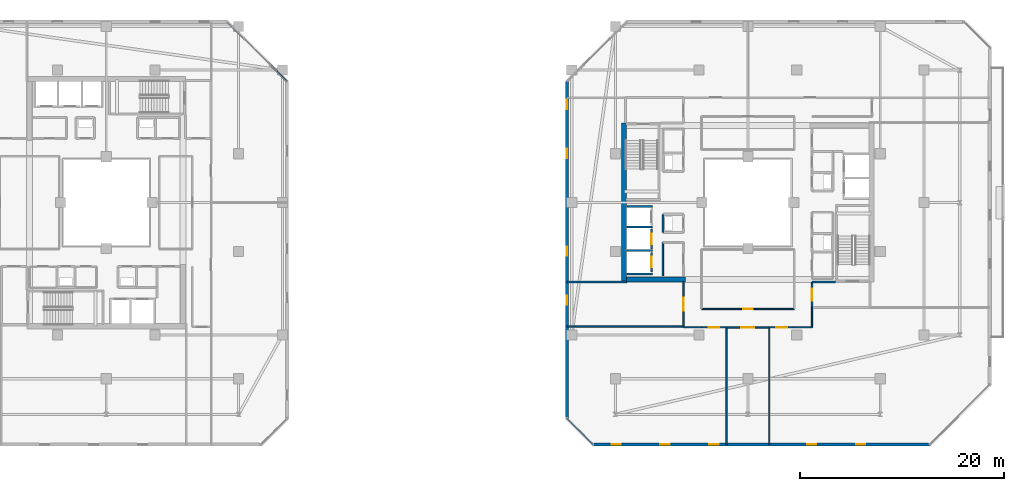
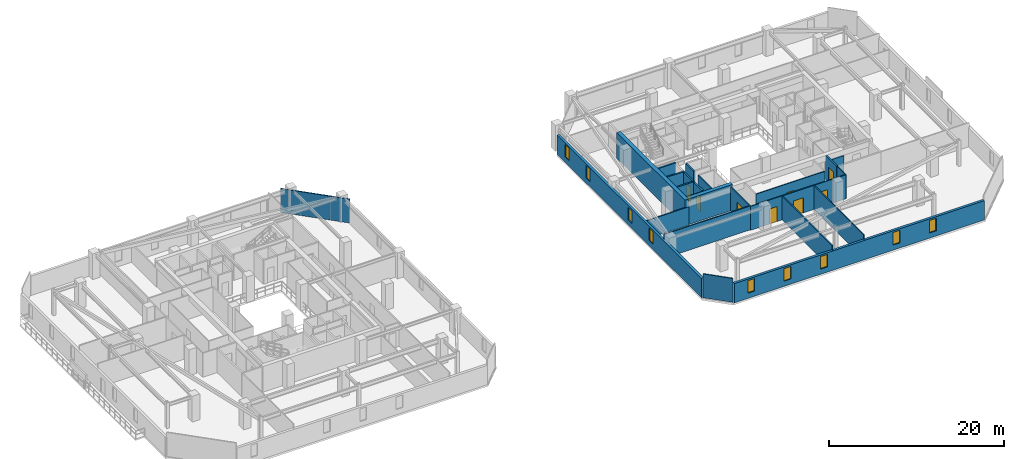
# One storey, part 21 of 31: 28 walls, 9 windows, 8 doors, 17 openings.
"""IFC4 building model written with IfcOpenShell, lengths in metres."""

from ifc_helpers import new_model, si_unit, direction, frame, frame_2d, origin, place, context, subcontext, project, spatial, rectangle, extrude, material, layer, layer_set, type_object, element, fill, save


model = new_model("IFC4")

# Units and contexts
model_context = context("Model", 3, precision=1e-05, world=origin(), true_north=direction((0.0, 1.0)))
body_context = subcontext(model_context, "Body", "Model", "MODEL_VIEW")
ifc_project = project(units=[si_unit("LENGTHUNIT", "METRE"), si_unit("AREAUNIT", "SQUARE_METRE"), si_unit("VOLUMEUNIT", "CUBIC_METRE"), si_unit("PLANEANGLEUNIT", "RADIAN"), si_unit("MASSUNIT", "GRAM", prefix="KILO")], contexts=[model_context])

# Site, building, storey
site_placement = place(None, origin())
site = spatial("IfcSite", under=ifc_project, at=site_placement, CompositionType="ELEMENT")
building_placement = place(site_placement, origin())
building = spatial("IfcBuilding", under=site, at=building_placement, Name="Thornwick Lancets Civic Towers", CompositionType="ELEMENT")
storey_placement = place(building_placement, frame((0.0, 0.0, 233.10009765625)))
storey = spatial("IfcBuildingStorey", under=building, at=storey_placement, Name="L62", CompositionType="ELEMENT", Elevation=233.10009765625)

# Wall, opening, door
ifc_material_1 = material(Name="Concrete blockwork C40/50", Category="masonry")
ifc_layer_1 = layer(ifc_material_1, 0.199951171875, Name="Concrete blockwork C40/50")
ifc_layer_set_1 = layer_set([ifc_layer_1], Name="Concrete blockwork C40/50")
wall_type_1 = type_object("IfcWallType", Name="WALL_COMP_200", PredefinedType="STANDARD", material=ifc_layer_set_1)
wall_1_placement = place(storey_placement, frame((79.050048828125, 22.429931640625, 0.0), z_axis=(0.0, 0.0, 1.0), x_axis=(0.0, 1.0, 0.0)))
wall_1 = element("IfcWall", 1, at=wall_1_placement, inside=storey, type_object=wall_type_1, Name="L62 Hoistway Front Wall PL-BH2", PredefinedType="STANDARD", context=body_context, shape_type="SweptSolid", body=[
    extrude(rectangle(XDim=1.989990234375, YDim=0.199951171875, at=frame_2d((0.9951171875, 0.0))), origin(), (0.0, 0.0, 1.0), 3.33984375),
])
opening_1_placement = place(wall_1_placement, frame((0.485107421875, 0.0, 0.0)))
opening_1 = element("IfcOpeningElement", 2, at=opening_1_placement, cuts=wall_1, Name="Opening LD-PL-BH2", PredefinedType="OPENING", context=body_context, shape_type="SweptSolid", body=[
    extrude(rectangle(XDim=1.02001953125, YDim=2.06005859375, at=frame_2d((0.510009765625, 1.030029296875))), frame((0.0, 0.10986328125, 0.0), z_axis=(0.0, -1.0, 0.0), x_axis=(1.0, 0.0, 0.0)), (0.0, 0.0, 1.0), 0.219970703125),
])
ifc_material_2 = material(Name="Brushed bronze stainless steel", Category="steel")
door_type_1 = type_object("IfcDoorType", Name="DOOR_LIFT_SLIDE", OperationType="SLIDING_TO_LEFT", PredefinedType="DOOR", material=ifc_material_2)
door_1_placement = place(opening_1_placement, origin())
door_1 = element("IfcDoor", 3, at=door_1_placement, inside=storey, type_object=door_type_1, Name="L62 Sliding Lift Landing Door LD-PL-BH2", OperationType="SLIDING_TO_LEFT", OverallHeight=2.06005859375, OverallWidth=1.02001953125, PredefinedType="DOOR", context=body_context, shape_type="SweptSolid", body=[
    extrude(rectangle(XDim=1.02001953125, YDim=2.06005859375, at=frame_2d((0.510009765625, 1.030029296875))), frame((0.0, 0.02490234375, 0.0), z_axis=(0.0, -1.0, 0.0), x_axis=(1.0, 0.0, 0.0)), (0.0, 0.0, 1.0), 0.050048828125),
])
fill(opening_1, door_1)

wall_2_placement = place(storey_placement, frame((79.050048828125, 20.179931640625, 0.0), z_axis=(0.0, 0.0, 1.0), x_axis=(0.0, 1.0, 0.0)))
wall_2 = element("IfcWall", 4, at=wall_2_placement, inside=storey, type_object=wall_type_1, Name="L62 Hoistway Front Wall PL-BH3", PredefinedType="STANDARD", context=body_context, shape_type="SweptSolid", body=[
    extrude(rectangle(XDim=1.940185546875, YDim=0.199951171875, at=frame_2d((0.97021484375, 0.0))), origin(), (0.0, 0.0, 1.0), 3.33984375),
])
opening_2_placement = place(wall_2_placement, frame((0.4599609375, 0.0, 0.0)))
opening_2 = element("IfcOpeningElement", 5, at=opening_2_placement, cuts=wall_2, Name="Opening LD-PL-BH3", PredefinedType="OPENING", context=body_context, shape_type="SweptSolid", body=[
    extrude(rectangle(XDim=1.02001953125, YDim=2.06005859375, at=frame_2d((0.510009765625, 1.030029296875))), frame((0.0, 0.10986328125, 0.0), z_axis=(0.0, -1.0, 0.0), x_axis=(1.0, 0.0, 0.0)), (0.0, 0.0, 1.0), 0.219970703125),
])
door_2_placement = place(opening_2_placement, origin())
door_2 = element("IfcDoor", 6, at=door_2_placement, inside=storey, type_object=door_type_1, Name="L62 Sliding Lift Landing Door LD-PL-BH3", OperationType="SLIDING_TO_LEFT", OverallHeight=2.06005859375, OverallWidth=1.02001953125, PredefinedType="DOOR", context=body_context, shape_type="SweptSolid", body=[
    extrude(rectangle(XDim=1.02001953125, YDim=2.06005859375, at=frame_2d((0.510009765625, 1.030029296875))), frame((0.0, 0.02490234375, 0.0), z_axis=(0.0, -1.0, 0.0), x_axis=(1.0, 0.0, 0.0)), (0.0, 0.0, 1.0), 0.050048828125),
])
fill(opening_2, door_2)

# Walls
for number, where, z_axis, x_axis, name in (
    (7, (76.612060546875, 26.60009765625, 0.0), (0.0, 0.0, 1.0), (1.0, 0.0, 0.0), "L62 Hoistway Shaft Wall FL-B2 N"),
    (8, (76.612060546875, 24.60009765625, 0.0), (0.0, 0.0, 1.0), (1.0, 0.0, 0.0), "L62 Hoistway Shaft Wall FL-B2 S"),
    (9, (76.612060546875, 22.27490234375, 0.0), (0.0, 0.0, 1.0), (1.0, 0.0, 0.0), "L62 Hoistway Shaft Wall PL-BH2 S"),
    (10, (76.612060546875, 20.0, 0.0), (0.0, 0.0, 1.0), (1.0, 0.0, 0.0), "L62 Hoistway Shaft Wall PL-BH3 S"),
):
    element("IfcWall", number, at=place(storey_placement, frame(where, z_axis=z_axis, x_axis=x_axis)), inside=storey, type_object=wall_type_1, Name=name, PredefinedType="STANDARD", context=body_context, shape_type="SweptSolid", body=[
        extrude(rectangle(XDim=2.535888671875, YDim=0.199951171875, at=frame_2d((1.26806640625, 0.0))), origin(), (0.0, 0.0, 1.0), 3.33984375),
    ])
wall_3_placement = place(storey_placement, frame((97.10009765625, 19.199951171875, 0.0), z_axis=(0.0, 0.0, 1.0), x_axis=(-1.0, 0.0, 0.0)))
element("IfcWall", 11, at=wall_3_placement, inside=storey, type_object=wall_type_1, Name="L62 Partition L62-B-FFLOB1 E3", PredefinedType="STANDARD", context=body_context, shape_type="SweptSolid", body=[
    extrude(rectangle(XDim=2.300048828125, YDim=0.199951171875, at=frame_2d((1.14990234375, 0.0))), origin(), (0.0, 0.0, 1.0), 2.544921875),
])

# Wall, opening, door
wall_4_placement = place(storey_placement, frame((94.800048828125, 19.199951171875, 0.0), z_axis=(0.0, 0.0, 1.0), x_axis=(0.0, -1.0, 0.0)))
wall_4 = element("IfcWall", 12, at=wall_4_placement, inside=storey, type_object=wall_type_1, Name="L62 Partition L62-B-FFLOB1 E4", PredefinedType="STANDARD", context=body_context, shape_type="SweptSolid", body=[
    extrude(rectangle(XDim=2.5, YDim=0.199951171875, at=frame_2d((1.25, 0.0))), origin(), (0.0, 0.0, 1.0), 3.33984375),
])
opening_3_placement = place(wall_4_placement, frame((0.675048828125, 0.0, 0.0)))
opening_3 = element("IfcOpeningElement", 13, at=opening_3_placement, cuts=wall_4, Name="Opening D-L62-2793", PredefinedType="OPENING", context=body_context, shape_type="SweptSolid", body=[
    extrude(rectangle(XDim=1.14990234375, YDim=2.10009765625, at=frame_2d((0.574951171875, 1.050048828125))), frame((0.0, 0.10986328125, 0.0), z_axis=(0.0, -1.0, 0.0), x_axis=(1.0, 0.0, 0.0)), (0.0, 0.0, 1.0), 0.219970703125),
])
ifc_material_3 = material(Name="Glazed fire-resisting steel", Category="steel")
door_type_2 = type_object("IfcDoorType", Name="DOOR_LOBBY_FD60", OperationType="NOTDEFINED", PredefinedType="DOOR", material=ifc_material_3)
door_3_placement = place(opening_3_placement, origin())
door_3 = element("IfcDoor", 14, at=door_3_placement, inside=storey, type_object=door_type_2, Name="L62 East Firefighting Lobby 1 Door", OperationType="SINGLE_SWING_RIGHT", OverallHeight=2.10009765625, OverallWidth=1.14990234375, PredefinedType="DOOR", context=body_context, shape_type="SweptSolid", body=[
    extrude(rectangle(XDim=1.14990234375, YDim=2.10009765625, at=frame_2d((0.574951171875, 1.050048828125))), frame((0.0, 0.02490234375, 0.0), z_axis=(0.0, -1.0, 0.0), x_axis=(1.0, 0.0, 0.0)), (0.0, 0.0, 1.0), 0.050048828125),
])
fill(opening_3, door_3)

# Walls
wall_5_placement = place(storey_placement, frame((80.14990234375, 25.85009765625, 0.0), z_axis=(0.0, 0.0, 1.0), x_axis=(0.0, -1.0, 0.0)))
element("IfcWall", 15, at=wall_5_placement, inside=storey, type_object=wall_type_1, Name="L62 Partition L62-B-DUCT2 E4", PredefinedType="STANDARD", context=body_context, shape_type="SweptSolid", body=[
    extrude(rectangle(XDim=1.800048828125, YDim=0.199951171875, at=frame_2d((0.89990234375, 0.0))), origin(), (0.0, 0.0, 1.0), 3.33984375),
])
ifc_material_4 = material(Name="Concrete C50/60", Category="concrete")
ifc_layer_2 = layer(ifc_material_4, 0.5, Name="Concrete C50/60")
ifc_layer_set_2 = layer_set([ifc_layer_2], Name="Concrete C50/60")
wall_type_2 = type_object("IfcWallType", Name="WALL_CORE_500", PredefinedType="SHEAR", material=ifc_layer_set_2)
wall_6_placement = place(storey_placement, frame((76.35009765625, 19.199951171875, 0.0), z_axis=(0.0, 0.0, 1.0), x_axis=(0.0, 1.0, 0.0)))
element("IfcWall", 16, at=wall_6_placement, inside=storey, type_object=wall_type_2, Name="L62 Split Core B2 Shear Wall W", PredefinedType="SHEAR", context=body_context, shape_type="SweptSolid", body=[
    extrude(rectangle(XDim=15.60009765625, YDim=0.5, at=frame_2d((7.800048828125, 0.0))), origin(), (0.0, 0.0, 1.0), 3.599853515625),
])
wall_7_placement = place(storey_placement, frame((76.60009765625, 19.449951171875, 0.0), z_axis=(0.0, 0.0, 1.0), x_axis=(1.0, 0.0, 0.0)))
element("IfcWall", 17, at=wall_7_placement, inside=storey, type_object=wall_type_2, Name="L62 Split Core B2 Shear Wall S", PredefinedType="SHEAR", context=body_context, shape_type="SweptSolid", body=[
    extrude(rectangle(XDim=5.7998046875, YDim=0.5, at=frame_2d((2.89990234375, 0.0))), origin(), (0.0, 0.0, 1.0), 3.599853515625),
])

# Wall, openings, windows
ifc_material_5 = material(Name="Insulated buff terracotta rainscreen on concrete C40/50", Category="masonry")
ifc_layer_3 = layer(ifc_material_5, 0.320068359375, Name="Insulated buff terracotta rainscreen on concrete C40/50")
ifc_layer_set_3 = layer_set([ifc_layer_3], Name="Insulated buff terracotta rainscreen on concrete C40/50")
wall_type_3 = type_object("IfcWallType", Name="WALL_EXT_TERRA_320", PredefinedType="STANDARD", material=ifc_layer_set_3)
wall_8_placement = place(storey_placement, frame((73.318603515625, 3.2353515625, 0.0), z_axis=(0.0, 0.0, 1.0), x_axis=(0.999999944762, 0.000332378036, 0.0)))
wall_8 = element("IfcWall", 18, at=wall_8_placement, inside=storey, type_object=wall_type_3, Name="L62 Tower B Terracotta Facade Wall E0", PredefinedType="STANDARD", context=body_context, shape_type="SweptSolid", body=[
    extrude(rectangle(XDim=33.0537109375, YDim=0.320068359375, at=frame_2d((16.52685546875, 0.0))), origin(), (0.0, 0.0, 1.0), 2.699951171875),
])
opening_4_placement = place(wall_8_placement, frame((1.800048828125, 0.0, 0.719970703125)))
opening_4 = element("IfcOpeningElement", 19, at=opening_4_placement, cuts=wall_8, Name="Opening WL-01", PredefinedType="OPENING", context=body_context, shape_type="SweptSolid", body=[
    extrude(rectangle(XDim=0.89990234375, YDim=1.75, at=frame_2d((0.449951171875, 0.875))), frame((0.0, 0.169921875, 0.0), z_axis=(0.0, -1.0, 0.0), x_axis=(1.0, 0.0, 0.0)), (0.0, 0.0, 1.0), 0.340087890625),
])
opening_5_placement = place(wall_8_placement, frame((6.60009765625, 0.0, 0.719970703125)))
opening_5 = element("IfcOpeningElement", 20, at=opening_5_placement, cuts=wall_8, Name="Opening WL-01", PredefinedType="OPENING", context=body_context, shape_type="SweptSolid", body=[
    extrude(rectangle(XDim=0.89990234375, YDim=1.75, at=frame_2d((0.449951171875, 0.875))), frame((0.0, 0.169921875, 0.0), z_axis=(0.0, -1.0, 0.0), x_axis=(1.0, 0.0, 0.0)), (0.0, 0.0, 1.0), 0.340087890625),
])
opening_6_placement = place(wall_8_placement, frame((11.39990234375, 0.0, 0.719970703125)))
opening_6 = element("IfcOpeningElement", 21, at=opening_6_placement, cuts=wall_8, Name="Opening WL-01", PredefinedType="OPENING", context=body_context, shape_type="SweptSolid", body=[
    extrude(rectangle(XDim=0.89990234375, YDim=1.75, at=frame_2d((0.449951171875, 0.875))), frame((0.0, 0.169921875, 0.0), z_axis=(0.0, -1.0, 0.0), x_axis=(1.0, 0.0, 0.0)), (0.0, 0.0, 1.0), 0.340087890625),
])
opening_7_placement = place(wall_8_placement, frame((21.0, 0.0, 0.719970703125)))
opening_7 = element("IfcOpeningElement", 22, at=opening_7_placement, cuts=wall_8, Name="Opening WL-01", PredefinedType="OPENING", context=body_context, shape_type="SweptSolid", body=[
    extrude(rectangle(XDim=0.89990234375, YDim=1.75, at=frame_2d((0.449951171875, 0.875))), frame((0.0, 0.169921875, 0.0), z_axis=(0.0, -1.0, 0.0), x_axis=(1.0, 0.0, 0.0)), (0.0, 0.0, 1.0), 0.340087890625),
])
opening_8_placement = place(wall_8_placement, frame((25.800048828125, 0.0, 0.719970703125)))
opening_8 = element("IfcOpeningElement", 23, at=opening_8_placement, cuts=wall_8, Name="Opening WL-01", PredefinedType="OPENING", context=body_context, shape_type="SweptSolid", body=[
    extrude(rectangle(XDim=0.89990234375, YDim=1.75, at=frame_2d((0.449951171875, 0.875))), frame((0.0, 0.169921875, 0.0), z_axis=(0.0, -1.0, 0.0), x_axis=(1.0, 0.0, 0.0)), (0.0, 0.0, 1.0), 0.340087890625),
])
ifc_material_6 = material(Name="Clear low-e double glazing in bronze frame", Category="glass")
window_type = type_object("IfcWindowType", Name="WIN_LANCET_900", PartitioningType="SINGLE_PANEL", PredefinedType="WINDOW", material=ifc_material_6)
window_1_placement = place(opening_4_placement, origin())
window_1 = element("IfcWindow", 24, at=window_1_placement, inside=storey, type_object=window_type, Name="L62 Tower B Staggered Lancet Window E0-1", OverallHeight=1.75, OverallWidth=0.89990234375, PartitioningType="SINGLE_PANEL", PredefinedType="WINDOW", context=body_context, shape_type="SweptSolid", body=[
    extrude(rectangle(XDim=0.89990234375, YDim=1.75, at=frame_2d((0.449951171875, 0.875))), frame((0.0, 0.030029296875, 0.0), z_axis=(0.0, -1.0, 0.0), x_axis=(1.0, 0.0, 0.0)), (0.0, 0.0, 1.0), 0.06005859375),
])
fill(opening_4, window_1)
window_2_placement = place(opening_5_placement, origin())
window_2 = element("IfcWindow", 25, at=window_2_placement, inside=storey, type_object=window_type, Name="L62 Tower B Staggered Lancet Window E0-2", OverallHeight=1.75, OverallWidth=0.89990234375, PartitioningType="SINGLE_PANEL", PredefinedType="WINDOW", context=body_context, shape_type="SweptSolid", body=[
    extrude(rectangle(XDim=0.89990234375, YDim=1.75, at=frame_2d((0.449951171875, 0.875))), frame((0.0, 0.030029296875, 0.0), z_axis=(0.0, -1.0, 0.0), x_axis=(1.0, 0.0, 0.0)), (0.0, 0.0, 1.0), 0.06005859375),
])
fill(opening_5, window_2)
window_3_placement = place(opening_6_placement, origin())
window_3 = element("IfcWindow", 26, at=window_3_placement, inside=storey, type_object=window_type, Name="L62 Tower B Staggered Lancet Window E0-3", OverallHeight=1.75, OverallWidth=0.89990234375, PartitioningType="SINGLE_PANEL", PredefinedType="WINDOW", context=body_context, shape_type="SweptSolid", body=[
    extrude(rectangle(XDim=0.89990234375, YDim=1.75, at=frame_2d((0.449951171875, 0.875))), frame((0.0, 0.030029296875, 0.0), z_axis=(0.0, -1.0, 0.0), x_axis=(1.0, 0.0, 0.0)), (0.0, 0.0, 1.0), 0.06005859375),
])
fill(opening_6, window_3)
window_4_placement = place(opening_7_placement, origin())
window_4 = element("IfcWindow", 27, at=window_4_placement, inside=storey, type_object=window_type, Name="L62 Tower B Staggered Lancet Window E0-4", OverallHeight=1.75, OverallWidth=0.89990234375, PartitioningType="SINGLE_PANEL", PredefinedType="WINDOW", context=body_context, shape_type="SweptSolid", body=[
    extrude(rectangle(XDim=0.89990234375, YDim=1.75, at=frame_2d((0.449951171875, 0.875))), frame((0.0, 0.030029296875, 0.0), z_axis=(0.0, -1.0, 0.0), x_axis=(1.0, 0.0, 0.0)), (0.0, 0.0, 1.0), 0.06005859375),
])
fill(opening_7, window_4)
window_5_placement = place(opening_8_placement, origin())
window_5 = element("IfcWindow", 28, at=window_5_placement, inside=storey, type_object=window_type, Name="L62 Tower B Staggered Lancet Window E0-5", OverallHeight=1.75, OverallWidth=0.89990234375, PartitioningType="SINGLE_PANEL", PredefinedType="WINDOW", context=body_context, shape_type="SweptSolid", body=[
    extrude(rectangle(XDim=0.89990234375, YDim=1.75, at=frame_2d((0.449951171875, 0.875))), frame((0.0, 0.030029296875, 0.0), z_axis=(0.0, -1.0, 0.0), x_axis=(1.0, 0.0, 0.0)), (0.0, 0.0, 1.0), 0.06005859375),
])
fill(opening_8, window_5)

wall_9_placement = place(storey_placement, frame((70.746337890625, 38.872314453125, 0.0), z_axis=(0.0, 0.0, 1.0), x_axis=(-0.000332378036, -0.999999944762, 0.0)))
wall_9 = element("IfcWall", 29, at=wall_9_placement, inside=storey, type_object=wall_type_3, Name="L62 Tower B Terracotta Facade Wall E6", PredefinedType="STANDARD", context=body_context, shape_type="SweptSolid", body=[
    extrude(rectangle(XDim=33.0537109375, YDim=0.320068359375, at=frame_2d((16.52685546875, 0.0))), origin(), (0.0, 0.0, 1.0), 2.699951171875),
])
opening_9_placement = place(wall_9_placement, frame((1.800048828125, 0.0, 0.719970703125)))
opening_9 = element("IfcOpeningElement", 30, at=opening_9_placement, cuts=wall_9, Name="Opening WL-01", PredefinedType="OPENING", context=body_context, shape_type="SweptSolid", body=[
    extrude(rectangle(XDim=0.89990234375, YDim=1.75, at=frame_2d((0.449951171875, 0.875))), frame((0.0, 0.169921875, 0.0), z_axis=(0.0, -1.0, 0.0), x_axis=(1.0, 0.0, 0.0)), (0.0, 0.0, 1.0), 0.340087890625),
])
opening_10_placement = place(wall_9_placement, frame((6.60009765625, 0.0, 0.719970703125)))
opening_10 = element("IfcOpeningElement", 31, at=opening_10_placement, cuts=wall_9, Name="Opening WL-01", PredefinedType="OPENING", context=body_context, shape_type="SweptSolid", body=[
    extrude(rectangle(XDim=0.89990234375, YDim=1.75, at=frame_2d((0.449951171875, 0.875))), frame((0.0, 0.169921875, 0.0), z_axis=(0.0, -1.0, 0.0), x_axis=(1.0, 0.0, 0.0)), (0.0, 0.0, 1.0), 0.340087890625),
])
opening_11_placement = place(wall_9_placement, frame((16.199951171875, 0.0, 0.719970703125)))
opening_11 = element("IfcOpeningElement", 32, at=opening_11_placement, cuts=wall_9, Name="Opening WL-01", PredefinedType="OPENING", context=body_context, shape_type="SweptSolid", body=[
    extrude(rectangle(XDim=0.89990234375, YDim=1.75, at=frame_2d((0.449951171875, 0.875))), frame((0.0, 0.169921875, 0.0), z_axis=(0.0, -1.0, 0.0), x_axis=(1.0, 0.0, 0.0)), (0.0, 0.0, 1.0), 0.340087890625),
])
opening_12_placement = place(wall_9_placement, frame((21.0, 0.0, 0.719970703125)))
opening_12 = element("IfcOpeningElement", 33, at=opening_12_placement, cuts=wall_9, Name="Opening WL-01", PredefinedType="OPENING", context=body_context, shape_type="SweptSolid", body=[
    extrude(rectangle(XDim=0.89990234375, YDim=1.75, at=frame_2d((0.449951171875, 0.875))), frame((0.0, 0.169921875, 0.0), z_axis=(0.0, -1.0, 0.0), x_axis=(1.0, 0.0, 0.0)), (0.0, 0.0, 1.0), 0.340087890625),
])
window_6_placement = place(opening_9_placement, origin())
window_6 = element("IfcWindow", 34, at=window_6_placement, inside=storey, type_object=window_type, Name="L62 Tower B Staggered Lancet Window E6-1", OverallHeight=1.75, OverallWidth=0.89990234375, PartitioningType="SINGLE_PANEL", PredefinedType="WINDOW", context=body_context, shape_type="SweptSolid", body=[
    extrude(rectangle(XDim=0.89990234375, YDim=1.75, at=frame_2d((0.449951171875, 0.875))), frame((0.0, 0.030029296875, 0.0), z_axis=(0.0, -1.0, 0.0), x_axis=(1.0, 0.0, 0.0)), (0.0, 0.0, 1.0), 0.06005859375),
])
fill(opening_9, window_6)
window_7_placement = place(opening_10_placement, origin())
window_7 = element("IfcWindow", 35, at=window_7_placement, inside=storey, type_object=window_type, Name="L62 Tower B Staggered Lancet Window E6-2", OverallHeight=1.75, OverallWidth=0.89990234375, PartitioningType="SINGLE_PANEL", PredefinedType="WINDOW", context=body_context, shape_type="SweptSolid", body=[
    extrude(rectangle(XDim=0.89990234375, YDim=1.75, at=frame_2d((0.449951171875, 0.875))), frame((0.0, 0.030029296875, 0.0), z_axis=(0.0, -1.0, 0.0), x_axis=(1.0, 0.0, 0.0)), (0.0, 0.0, 1.0), 0.06005859375),
])
fill(opening_10, window_7)
window_8_placement = place(opening_11_placement, origin())
window_8 = element("IfcWindow", 36, at=window_8_placement, inside=storey, type_object=window_type, Name="L62 Tower B Staggered Lancet Window E6-3", OverallHeight=1.75, OverallWidth=0.89990234375, PartitioningType="SINGLE_PANEL", PredefinedType="WINDOW", context=body_context, shape_type="SweptSolid", body=[
    extrude(rectangle(XDim=0.89990234375, YDim=1.75, at=frame_2d((0.449951171875, 0.875))), frame((0.0, 0.030029296875, 0.0), z_axis=(0.0, -1.0, 0.0), x_axis=(1.0, 0.0, 0.0)), (0.0, 0.0, 1.0), 0.06005859375),
])
fill(opening_11, window_8)
window_9_placement = place(opening_12_placement, origin())
window_9 = element("IfcWindow", 37, at=window_9_placement, inside=storey, type_object=window_type, Name="L62 Tower B Staggered Lancet Window E6-4", OverallHeight=1.75, OverallWidth=0.89990234375, PartitioningType="SINGLE_PANEL", PredefinedType="WINDOW", context=body_context, shape_type="SweptSolid", body=[
    extrude(rectangle(XDim=0.89990234375, YDim=1.75, at=frame_2d((0.449951171875, 0.875))), frame((0.0, 0.030029296875, 0.0), z_axis=(0.0, -1.0, 0.0), x_axis=(1.0, 0.0, 0.0)), (0.0, 0.0, 1.0), 0.06005859375),
])
fill(opening_12, window_9)

# Walls
ifc_material_7 = material(Name="Acoustic gypsum board partition")
ifc_layer_4 = layer(ifc_material_7, 0.1201171875, Name="Acoustic gypsum board partition")
ifc_layer_set_4 = layer_set([ifc_layer_4], Name="Acoustic gypsum board partition")
wall_type_4 = type_object("IfcWallType", Name="WALL_PART_120", PredefinedType="PARTITIONING", material=ifc_layer_set_4)
wall_10_placement = place(storey_placement, frame((37.40234375, 44.719970703125, 0.0), z_axis=(0.0, 0.0, 1.0), x_axis=(0.707106781187, -0.707106781187, 0.0)))
element("IfcWall", 38, at=wall_10_placement, inside=storey, type_object=wall_type_4, Name="L62 Partition L62-A-E2 E4", PredefinedType="PARTITIONING", context=body_context, shape_type="SweptSolid", body=[
    extrude(rectangle(XDim=8.227294921875, YDim=0.1201171875, at=frame_2d((4.11376953125, 0.0))), origin(), (0.0, 0.0, 1.0), 3.33984375),
])
wall_11_placement = place(storey_placement, frame((90.60009765625, 3.280029296875, 0.0), z_axis=(0.0, 0.0, 1.0), x_axis=(0.0, 1.0, 0.0)))
element("IfcWall", 39, at=wall_11_placement, inside=storey, type_object=wall_type_4, Name="L62 Partition L62-B-W1 E2", PredefinedType="PARTITIONING", context=body_context, shape_type="SweptSolid", body=[
    extrude(rectangle(XDim=11.469970703125, YDim=0.1201171875, at=frame_2d((5.73486328125, 0.0))), origin(), (0.0, 0.0, 1.0), 3.33984375),
])

# Wall, opening, door
wall_12_placement = place(storey_placement, frame((90.60009765625, 14.75, 0.0), z_axis=(0.0, 0.0, 1.0), x_axis=(1.0, 0.0, 0.0)))
wall_12 = element("IfcWall", 40, at=wall_12_placement, inside=storey, type_object=wall_type_4, Name="L62 Partition L62-B-W1 E3", PredefinedType="PARTITIONING", context=body_context, shape_type="SweptSolid", body=[
    extrude(rectangle(XDim=2.449951171875, YDim=0.1201171875, at=frame_2d((1.22509765625, 0.0))), origin(), (0.0, 0.0, 1.0), 3.33984375),
])
opening_13_placement = place(wall_12_placement, frame((0.699951171875, 0.0, 0.0)))
opening_13 = element("IfcOpeningElement", 41, at=opening_13_placement, cuts=wall_12, Name="Opening D-L62-2816", PredefinedType="OPENING", context=body_context, shape_type="SweptSolid", body=[
    extrude(rectangle(XDim=1.050048828125, YDim=2.10009765625, at=frame_2d((0.52490234375, 1.050048828125))), frame((0.0, 0.070068359375, 0.0), z_axis=(0.0, -1.0, 0.0), x_axis=(1.0, 0.0, 0.0)), (0.0, 0.0, 1.0), 0.14013671875),
])
ifc_material_8 = material(Name="Glazed European oak executive doorset")
door_type_3 = type_object("IfcDoorType", Name="DOOR_OFFICE_1050", OperationType="NOTDEFINED", PredefinedType="DOOR", material=ifc_material_8)
door_4_placement = place(opening_13_placement, origin())
door_4 = element("IfcDoor", 42, at=door_4_placement, inside=storey, type_object=door_type_3, Name="L62 Tower B Ministry Directorate Office W1 Door", OperationType="SINGLE_SWING_LEFT", OverallHeight=2.10009765625, OverallWidth=1.050048828125, PredefinedType="DOOR", context=body_context, shape_type="SweptSolid", body=[
    extrude(rectangle(XDim=1.050048828125, YDim=2.10009765625, at=frame_2d((0.52490234375, 1.050048828125))), frame((0.0, 0.02490234375, 0.0), z_axis=(0.0, -1.0, 0.0), x_axis=(1.0, 0.0, 0.0)), (0.0, 0.0, 1.0), 0.050048828125),
])
fill(opening_13, door_4)

# Walls
wall_13_placement = place(storey_placement, frame((93.050048828125, 14.75, 0.0), z_axis=(0.0, 0.0, 1.0), x_axis=(1.0, 0.0, 0.0)))
element("IfcWall", 43, at=wall_13_placement, inside=storey, type_object=wall_type_4, Name="L62 Partition L62-B-W1 E4", PredefinedType="PARTITIONING", context=body_context, shape_type="SweptSolid", body=[
    extrude(rectangle(XDim=1.75, YDim=0.1201171875, at=frame_2d((0.875, 0.0))), origin(), (0.0, 0.0, 1.0), 3.33984375),
])
wall_14_placement = place(storey_placement, frame((94.800048828125, 14.75, 0.0), z_axis=(0.0, 0.0, 1.0), x_axis=(0.0, 1.0, 0.0)))
element("IfcWall", 44, at=wall_14_placement, inside=storey, type_object=wall_type_4, Name="L62 Partition L62-B-W1 E5", PredefinedType="PARTITIONING", context=body_context, shape_type="SweptSolid", body=[
    extrude(rectangle(XDim=1.949951171875, YDim=0.1201171875, at=frame_2d((0.97509765625, 0.0))), origin(), (0.0, 0.0, 1.0), 3.33984375),
])
wall_15_placement = place(storey_placement, frame((73.274658203125, 3.280029296875, 0.0), z_axis=(0.0, 0.0, 1.0), x_axis=(-0.707106781187, 0.707106781187, 0.0)))
element("IfcWall", 45, at=wall_15_placement, inside=storey, type_object=wall_type_4, Name="L62 Partition L62-B-W2B E2", PredefinedType="PARTITIONING", context=body_context, shape_type="SweptSolid", body=[
    extrude(rectangle(XDim=3.52783203125, YDim=0.1201171875, at=frame_2d((1.763916015625, 0.0))), origin(), (0.0, 0.0, 1.0), 3.33984375),
])
wall_16_placement = place(storey_placement, frame((82.199951171875, 14.75, 0.0), z_axis=(0.0, 0.0, 1.0), x_axis=(1.0, 0.0, 0.0)))
element("IfcWall", 46, at=wall_16_placement, inside=storey, type_object=wall_type_4, Name="L62 Partition L62-B-W2B E5", PredefinedType="PARTITIONING", context=body_context, shape_type="SweptSolid", body=[
    extrude(rectangle(XDim=1.75, YDim=0.1201171875, at=frame_2d((0.875, 0.0))), origin(), (0.0, 0.0, 1.0), 3.33984375),
])

# Wall, opening, door
wall_17_placement = place(storey_placement, frame((83.949951171875, 14.75, 0.0), z_axis=(0.0, 0.0, 1.0), x_axis=(1.0, 0.0, 0.0)))
wall_17 = element("IfcWall", 47, at=wall_17_placement, inside=storey, type_object=wall_type_4, Name="L62 Partition L62-B-W2B E6", PredefinedType="PARTITIONING", context=body_context, shape_type="SweptSolid", body=[
    extrude(rectangle(XDim=2.449951171875, YDim=0.1201171875, at=frame_2d((1.22509765625, 0.0))), origin(), (0.0, 0.0, 1.0), 3.33984375),
])
opening_14_placement = place(wall_17_placement, frame((0.699951171875, 0.0, 0.0)))
opening_14 = element("IfcOpeningElement", 48, at=opening_14_placement, cuts=wall_17, Name="Opening D-L62-2818", PredefinedType="OPENING", context=body_context, shape_type="SweptSolid", body=[
    extrude(rectangle(XDim=1.050048828125, YDim=2.10009765625, at=frame_2d((0.52490234375, 1.050048828125))), frame((0.0, 0.070068359375, 0.0), z_axis=(0.0, -1.0, 0.0), x_axis=(1.0, 0.0, 0.0)), (0.0, 0.0, 1.0), 0.14013671875),
])
door_5_placement = place(opening_14_placement, origin())
door_5 = element("IfcDoor", 49, at=door_5_placement, inside=storey, type_object=door_type_3, Name="L62 Tower B Parliamentary Casework Suite W2B Door", OperationType="SINGLE_SWING_LEFT", OverallHeight=2.10009765625, OverallWidth=1.050048828125, PredefinedType="DOOR", context=body_context, shape_type="SweptSolid", body=[
    extrude(rectangle(XDim=1.050048828125, YDim=2.10009765625, at=frame_2d((0.52490234375, 1.050048828125))), frame((0.0, 0.02490234375, 0.0), z_axis=(0.0, -1.0, 0.0), x_axis=(1.0, 0.0, 0.0)), (0.0, 0.0, 1.0), 0.050048828125),
])
fill(opening_14, door_5)

wall_18_placement = place(storey_placement, frame((93.050048828125, 16.550048828125, 0.0), z_axis=(0.0, 0.0, 1.0), x_axis=(-1.0, 0.0, 0.0)))
wall_18 = element("IfcWall", 50, at=wall_18_placement, inside=storey, type_object=wall_type_4, Name="L62 Partition L62-B-W3 E4", PredefinedType="PARTITIONING", context=body_context, shape_type="SweptSolid", body=[
    extrude(rectangle(XDim=9.10009765625, YDim=0.1201171875, at=frame_2d((4.550048828125, 0.0))), origin(), (0.0, 0.0, 1.0), 3.33984375),
])
opening_15_placement = place(wall_18_placement, frame((4.074951171875, 0.0, 0.0)))
opening_15 = element("IfcOpeningElement", 51, at=opening_15_placement, cuts=wall_18, Name="Opening D-L62-2819", PredefinedType="OPENING", context=body_context, shape_type="SweptSolid", body=[
    extrude(rectangle(XDim=0.949951171875, YDim=2.10009765625, at=frame_2d((0.47509765625, 1.050048828125))), frame((0.0, 0.070068359375, 0.0), z_axis=(0.0, -1.0, 0.0), x_axis=(1.0, 0.0, 0.0)), (0.0, 0.0, 1.0), 0.14013671875),
])
ifc_material_9 = material(Name="European oak acoustic doorset")
door_type_4 = type_object("IfcDoorType", Name="DOOR_OFFICE_950", OperationType="NOTDEFINED", PredefinedType="DOOR", material=ifc_material_9)
door_6_placement = place(opening_15_placement, origin())
door_6 = element("IfcDoor", 52, at=door_6_placement, inside=storey, type_object=door_type_4, Name="L62 Tower B West Atrium Gallery Suite Door", OperationType="SINGLE_SWING_RIGHT", OverallHeight=2.10009765625, OverallWidth=0.949951171875, PredefinedType="DOOR", context=body_context, shape_type="SweptSolid", body=[
    extrude(rectangle(XDim=0.949951171875, YDim=2.10009765625, at=frame_2d((0.47509765625, 1.050048828125))), frame((0.0, 0.02490234375, 0.0), z_axis=(0.0, -1.0, 0.0), x_axis=(1.0, 0.0, 0.0)), (0.0, 0.0, 1.0), 0.050048828125),
])
fill(opening_15, door_6)

# Walls
ifc_material_10 = material(Name="Twin-stud acoustic gypsum board")
ifc_layer_5 = layer(ifc_material_10, 0.14990234375, Name="Twin-stud acoustic gypsum board")
ifc_layer_set_5 = layer_set([ifc_layer_5], Name="Twin-stud acoustic gypsum board")
wall_type_5 = type_object("IfcWallType", Name="WALL_PART_150", PredefinedType="PARTITIONING", material=ifc_layer_set_5)
wall_19_placement = place(storey_placement, frame((80.14990234375, 23.10009765625, 0.0), z_axis=(0.0, 0.0, 1.0), x_axis=(0.0, -1.0, 0.0)))
element("IfcWall", 53, at=wall_19_placement, inside=storey, type_object=wall_type_5, Name="L62 Partition L62-B-MWC E4", PredefinedType="PARTITIONING", context=body_context, shape_type="SweptSolid", body=[
    extrude(rectangle(XDim=3.300048828125, YDim=0.14990234375, at=frame_2d((1.64990234375, 0.0))), origin(), (0.0, 0.0, 1.0), 3.33984375),
])
wall_20_placement = place(storey_placement, frame((82.199951171875, 14.85009765625, 0.0), z_axis=(0.0, 0.0, 1.0), x_axis=(-1.0, 0.0, 0.0)))
element("IfcWall", 54, at=wall_20_placement, inside=storey, type_object=wall_type_5, Name="L62 Partition L62-B-RECLAIM-M1 E1", PredefinedType="PARTITIONING", context=body_context, shape_type="SweptSolid", body=[
    extrude(rectangle(XDim=11.419921875, YDim=0.14990234375, at=frame_2d((5.7099609375, 0.0))), origin(), (0.0, 0.0, 1.0), 3.33984375),
])
wall_21_placement = place(storey_placement, frame((70.780029296875, 19.199951171875, 0.0), z_axis=(0.0, 0.0, 1.0), x_axis=(1.0, 0.0, 0.0)))
element("IfcWall", 55, at=wall_21_placement, inside=storey, type_object=wall_type_5, Name="L62 Partition L62-B-RECLAIM-M1 E3", PredefinedType="PARTITIONING", context=body_context, shape_type="SweptSolid", body=[
    extrude(rectangle(XDim=5.820068359375, YDim=0.14990234375, at=frame_2d((2.91015625, 0.0))), origin(), (0.0, 0.0, 1.0), 2.544921875),
])

# Wall, opening, door
wall_22_placement = place(storey_placement, frame((82.199951171875, 19.199951171875, 0.0), z_axis=(0.0, 0.0, 1.0), x_axis=(0.0, -1.0, 0.0)))
wall_22 = element("IfcWall", 56, at=wall_22_placement, inside=storey, type_object=wall_type_5, Name="L62 Partition L62-B-RECLAIM-M1 E4", PredefinedType="PARTITIONING", context=body_context, shape_type="SweptSolid", body=[
    extrude(rectangle(XDim=4.349853515625, YDim=0.14990234375, at=frame_2d((2.1748046875, 0.0))), origin(), (0.0, 0.0, 1.0), 3.33984375),
])
opening_16_placement = place(wall_22_placement, frame((1.52490234375, 0.0, 0.0)))
opening_16 = element("IfcOpeningElement", 57, at=opening_16_placement, cuts=wall_22, Name="Opening D-L62-2815", PredefinedType="OPENING", context=body_context, shape_type="SweptSolid", body=[
    extrude(rectangle(XDim=1.300048828125, YDim=2.1201171875, at=frame_2d((0.64990234375, 1.06005859375))), frame((0.0, 0.0849609375, 0.0), z_axis=(0.0, -1.0, 0.0), x_axis=(1.0, 0.0, 0.0)), (0.0, 0.0, 1.0), 0.169921875),
])
ifc_material_11 = material(Name="Acoustic oak leaf-and-a-half doorset")
door_type_5 = type_object("IfcDoorType", Name="DOOR_MEET_1300", OperationType="DOUBLE_DOOR_SINGLE_SWING", PredefinedType="DOOR", material=ifc_material_11)
door_7_placement = place(opening_16_placement, origin())
door_7 = element("IfcDoor", 58, at=door_7_placement, inside=storey, type_object=door_type_5, Name="L62 Tower B Diplomatic Conference Suite Door", OperationType="DOUBLE_DOOR_SINGLE_SWING", OverallHeight=2.1201171875, OverallWidth=1.300048828125, PredefinedType="DOOR", context=body_context, shape_type="SweptSolid", body=[
    extrude(rectangle(XDim=1.300048828125, YDim=2.1201171875, at=frame_2d((0.64990234375, 1.06005859375))), frame((0.0, 0.02490234375, 0.0), z_axis=(0.0, -1.0, 0.0), x_axis=(1.0, 0.0, 0.0)), (0.0, 0.0, 1.0), 0.050048828125),
])
fill(opening_16, door_7)

# Wall
wall_23_placement = place(storey_placement, frame((86.39990234375, 3.280029296875, 0.0), z_axis=(0.0, 0.0, 1.0), x_axis=(0.0, 1.0, 0.0)))
element("IfcWall", 59, at=wall_23_placement, inside=storey, type_object=wall_type_5, Name="L62 Partition L62-B-W2 E3", PredefinedType="PARTITIONING", context=body_context, shape_type="SweptSolid", body=[
    extrude(rectangle(XDim=11.469970703125, YDim=0.14990234375, at=frame_2d((5.73486328125, 0.0))), origin(), (0.0, 0.0, 1.0), 3.33984375),
])

# Wall, opening, door
wall_24_placement = place(storey_placement, frame((86.39990234375, 14.75, 0.0), z_axis=(0.0, 0.0, 1.0), x_axis=(1.0, 0.0, 0.0)))
wall_24 = element("IfcWall", 60, at=wall_24_placement, inside=storey, type_object=wall_type_5, Name="L62 Partition L62-B-W2 E4", PredefinedType="PARTITIONING", context=body_context, shape_type="SweptSolid", body=[
    extrude(rectangle(XDim=4.2001953125, YDim=0.14990234375, at=frame_2d((2.10009765625, 0.0))), origin(), (0.0, 0.0, 1.0), 3.33984375),
])
opening_17_placement = place(wall_24_placement, frame((1.449951171875, 0.0, 0.0)))
opening_17 = element("IfcOpeningElement", 61, at=opening_17_placement, cuts=wall_24, Name="Opening D-L62-2817", PredefinedType="OPENING", context=body_context, shape_type="SweptSolid", body=[
    extrude(rectangle(XDim=1.300048828125, YDim=2.1201171875, at=frame_2d((0.64990234375, 1.06005859375))), frame((0.0, 0.0849609375, 0.0), z_axis=(0.0, -1.0, 0.0), x_axis=(1.0, 0.0, 0.0)), (0.0, 0.0, 1.0), 0.169921875),
])
door_8_placement = place(opening_17_placement, origin())
door_8 = element("IfcDoor", 62, at=door_8_placement, inside=storey, type_object=door_type_5, Name="L62 Tower B Policy Briefing Room W2 Door", OperationType="DOUBLE_DOOR_SINGLE_SWING", OverallHeight=2.1201171875, OverallWidth=1.300048828125, PredefinedType="DOOR", context=body_context, shape_type="SweptSolid", body=[
    extrude(rectangle(XDim=1.300048828125, YDim=2.1201171875, at=frame_2d((0.64990234375, 1.06005859375))), frame((0.0, 0.02490234375, 0.0), z_axis=(0.0, -1.0, 0.0), x_axis=(1.0, 0.0, 0.0)), (0.0, 0.0, 1.0), 0.050048828125),
])
fill(opening_17, door_8)

save(model, "model.ifc")
